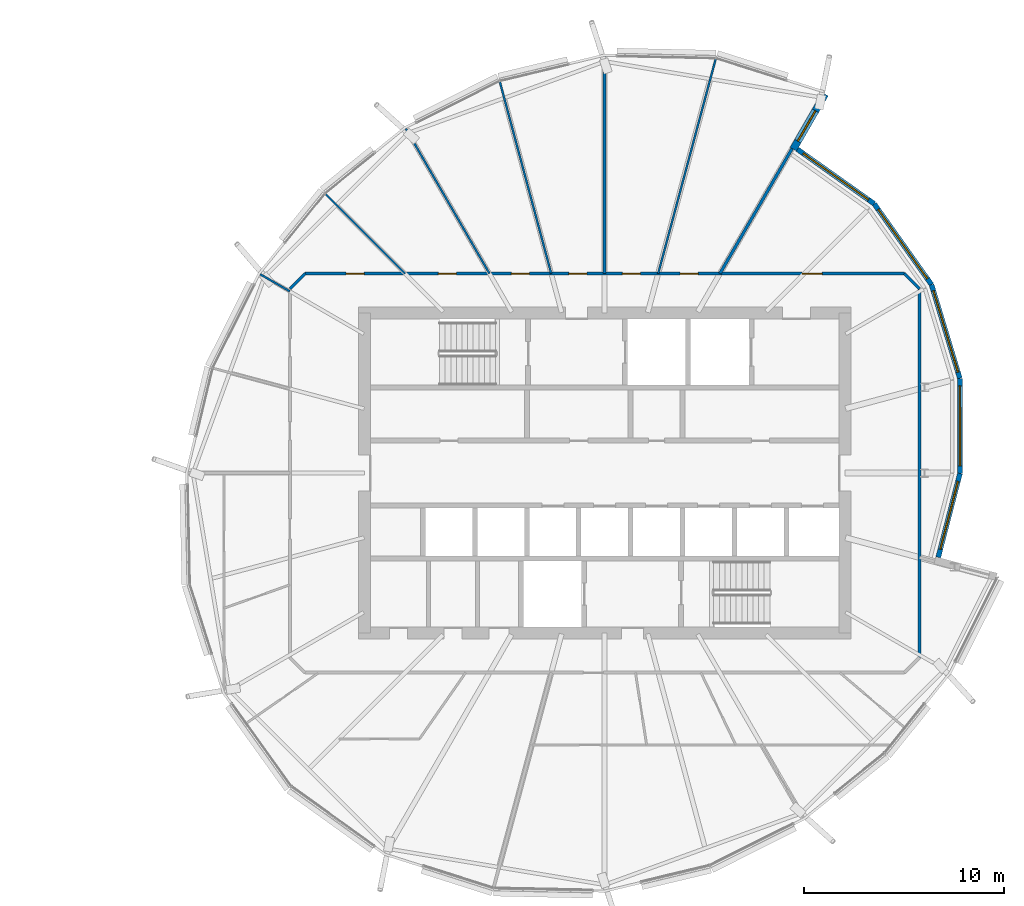
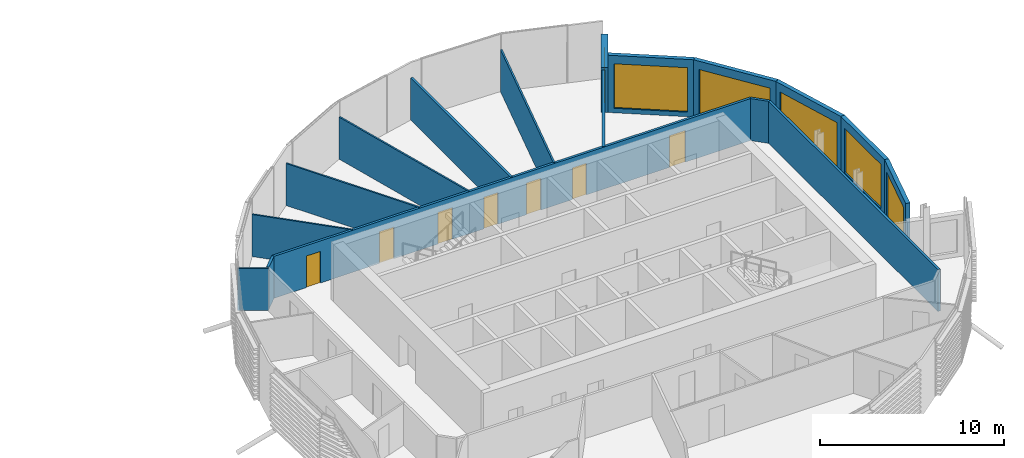
# One storey, part 23 of 36: 17 walls, 7 doors, 6 windows, 13 openings.
"""IFC4 building model written with IfcOpenShell, lengths in metres."""

import ifcopenshell
import ifcopenshell.guid

model = None  # the IFC model being written
_history = None  # IfcOwnerHistory: only IFC2X3 demands one
_inside = {}  # id of a spatial element -> (the spatial element, [elements in it])
_under = {}  # id of a project, library or spatial element -> (it, [spatial elements below it])
_declared = {}  # id of a project -> (the project, [libraries it declares])
_typed = {}  # id of a type object -> (the type object, [elements of that type])
_made_of = {}  # id of a material, layer set ... -> (it, [elements and type objects made of it])


def new_model(schema):
    """Start an empty IFC model of exactly this schema.

    Asked for "IFC4X3", IfcOpenShell would pick the latest addendum, in which some entities
    have other attributes; the version numbers below select the first issue.
    IFC2X3 requires an IfcOwnerHistory on every rooted entity: one is made here for all.
    """
    global model, _history
    if schema == "IFC4X3":
        model = ifcopenshell.file(schema_version=(4, 3, 0, 0))
    else:
        model = ifcopenshell.file(schema=schema)
    _inside.clear()
    _under.clear()
    _declared.clear()
    _typed.clear()
    _made_of.clear()
    _history = None
    if model.schema == "IFC2X3":
        org = make("IfcOrganization", Name="unknown")
        user = make(
            "IfcPersonAndOrganization",
            ThePerson=make("IfcPerson", FamilyName="unknown"),
            TheOrganization=org,
        )
        app = make(
            "IfcApplication",
            ApplicationDeveloper=org,
            Version="unknown",
            ApplicationFullName="unknown",
            ApplicationIdentifier="unknown",
        )
        _history = make(
            "IfcOwnerHistory",
            OwningUser=user,
            OwningApplication=app,
            ChangeAction="ADDED",
            CreationDate=0,
        )
    return model


def make(cls, **values):
    """One entity of the class cls with the attributes given. An attribute that is None is left unset."""
    return model.create_entity(
        cls, **{name: value for name, value in values.items() if value is not None}
    )


def rooted(cls, **values):
    """An entity with a GlobalId (a new one), such as an element, a storey or a relation."""
    return make(cls, GlobalId=ifcopenshell.guid.new(), OwnerHistory=_history, **values)


def si_unit(unit_type, name, prefix=None):
    """IfcSIUnit, for example si_unit("LENGTHUNIT", "METRE", prefix="MILLI")."""
    return make("IfcSIUnit", UnitType=unit_type, Prefix=prefix, Name=name)


def assignment(units):
    """IfcUnitAssignment: the units of a project."""
    return None if units is None else make("IfcUnitAssignment", Units=units)


def point(xyz):
    """IfcCartesianPoint."""
    return None if xyz is None else make("IfcCartesianPoint", Coordinates=xyz)


def direction(xyz):
    """IfcDirection."""
    return None if xyz is None else make("IfcDirection", DirectionRatios=xyz)


def frame(location, z_axis=None, x_axis=None):
    """IfcAxis2Placement3D, a coordinate frame: its origin and axes. An axis left out is left unset."""
    return make(
        "IfcAxis2Placement3D",
        Location=point(location),
        Axis=direction(z_axis),
        RefDirection=direction(x_axis),
    )


def frame_2d(location, x_axis=None):
    """IfcAxis2Placement2D, a coordinate frame in the plane: its origin and x axis."""
    return make(
        "IfcAxis2Placement2D", Location=point(location), RefDirection=direction(x_axis)
    )


def origin():
    """The frame at (0, 0, 0) with its axes left unset."""
    return frame((0.0, 0.0, 0.0))


def place(relative_to, where):
    """IfcLocalPlacement: puts the frame where relative to a parent placement (None: the world)."""
    return make(
        "IfcLocalPlacement", PlacementRelTo=relative_to, RelativePlacement=where
    )


def context(
    kind, dimensions, precision=None, world=None, true_north=None, identifier=None
):
    """IfcGeometricRepresentationContext, for example the 3D "Model" context."""
    return make(
        "IfcGeometricRepresentationContext",
        ContextIdentifier=identifier,
        ContextType=kind,
        CoordinateSpaceDimension=dimensions,
        Precision=precision,
        WorldCoordinateSystem=world,
        TrueNorth=true_north,
    )


def subcontext(parent, identifier, kind, view, scale=None):
    """IfcGeometricRepresentationSubContext, for example "Body" below "Model"."""
    return make(
        "IfcGeometricRepresentationSubContext",
        ContextIdentifier=identifier,
        ContextType=kind,
        ParentContext=parent,
        TargetScale=scale,
        TargetView=view,
    )


def project(units=None, contexts=None):
    """IfcProject with its units and contexts."""
    return rooted(
        "IfcProject",
        Name="project",
        RepresentationContexts=contexts,
        UnitsInContext=assignment(units),
    )


def spatial(cls, under=None, at=None, **own):
    """A site, building, storey or space (cls), placed at a placement, below another one or the project."""
    s = rooted(cls, ObjectPlacement=at, **own)
    if under is not None:
        _under.setdefault(under.id(), (under, []))[1].append(s)
    return s


def profile(cls, at=None, kind="AREA", **sizes):
    """A parametric profile (cls). Its sizes go by their IFC names, for example OverallWidth=200.0."""
    return make(cls, ProfileType=kind, Position=at, **sizes)


def rectangle(**sizes):
    """IfcRectangleProfileDef."""
    return profile("IfcRectangleProfileDef", **sizes)


def extrude(swept, where, along, depth):
    """IfcExtrudedAreaSolid: the profile swept, set in the frame where, extruded along a direction by depth."""
    return make(
        "IfcExtrudedAreaSolid",
        SweptArea=swept,
        Position=where,
        ExtrudedDirection=direction(along),
        Depth=depth,
    )


def shape(context_of_items, identifier, shape_type, items):
    """IfcShapeRepresentation: the items that make up one representation, for example the "Body"."""
    return make(
        "IfcShapeRepresentation",
        ContextOfItems=context_of_items,
        RepresentationIdentifier=identifier,
        RepresentationType=shape_type,
        Items=items,
    )


def material(Name=None, Category=None):
    """IfcMaterial."""
    return make("IfcMaterial", Name=Name, Category=Category)


def layer(
    of_material, thickness, ventilated=None, Name=None, Category=None, Priority=None
):
    """IfcMaterialLayer: one layer of a wall or slab, of a material (None: an air gap)."""
    return make(
        "IfcMaterialLayer",
        Material=of_material,
        LayerThickness=thickness,
        IsVentilated=ventilated,
        Name=Name,
        Category=Category,
        Priority=Priority,
    )


def layer_set(layers, Name=None):
    """IfcMaterialLayerSet."""
    return make("IfcMaterialLayerSet", MaterialLayers=layers, LayerSetName=Name)


def made_of(thing, what):
    """Note that an element or type object is made of a material, layer set ...; save() writes the relation."""
    if what is not None:
        _made_of.setdefault(what.id(), (what, []))[1].append(thing)
    return thing


def type_object(cls, material=None, **own):
    """A type object (cls), such as IfcWallType, which elements share."""
    return made_of(rooted(cls, **own), material)


def element(
    cls,
    number,
    at=None,
    inside=None,
    cuts=None,
    type_object=None,
    material=None,
    context=None,
    identifier="Body",
    shape_type=None,
    held_by="IfcProductDefinitionShape",
    body=None,
    shapes=None,
    **own,
):
    """One element of the class cls, such as IfcWall. Its Tag is "e" and its number.

    at: its placement. inside: the storey or other place that contains it. cuts: it is an
    opening in that element (IfcRelVoidsElement). A single representation is given by context,
    identifier, shape_type and body (its items); several are given by shapes. held_by: the class
    of the entity that holds the representations. save() writes the other relations.
    """
    e = rooted(cls, Tag="e%d" % number, ObjectPlacement=at, **own)
    if body is not None:
        shapes = [shape(context, identifier, shape_type, body)]
    if shapes is not None:
        e.Representation = make(held_by, Representations=shapes)
    if inside is not None:
        _inside.setdefault(inside.id(), (inside, []))[1].append(e)
    if cuts is not None:
        rooted(
            "IfcRelVoidsElement", RelatingBuildingElement=cuts, RelatedOpeningElement=e
        )
    if type_object is not None:
        _typed.setdefault(type_object.id(), (type_object, []))[1].append(e)
    return made_of(e, material)


def fill(opening, filler):
    """IfcRelFillsElement: the door or window that sits in an opening."""
    return rooted(
        "IfcRelFillsElement",
        RelatingOpeningElement=opening,
        RelatedBuildingElement=filler,
    )


def aggregate(whole, parts):
    """IfcRelAggregates: a whole, such as a stair, and the parts it consists of."""
    return rooted("IfcRelAggregates", RelatingObject=whole, RelatedObjects=parts)


def save(model, path):
    """Write the relations noted so far, then the file.

    IfcRelAggregates (storeys below a building ...), IfcRelContainedInSpatialStructure (elements
    in a storey), IfcRelDefinesByType, IfcRelAssociatesMaterial and IfcRelDeclares: one each for
    every whole, place, type object, material and project.
    """
    for whole, parts in _under.values():
        aggregate(whole, parts)
    for where, things in _inside.values():
        rooted(
            "IfcRelContainedInSpatialStructure",
            RelatedElements=things,
            RelatingStructure=where,
        )
    for kind, things in _typed.values():
        rooted("IfcRelDefinesByType", RelatedObjects=things, RelatingType=kind)
    for what, things in _made_of.values():
        rooted("IfcRelAssociatesMaterial", RelatedObjects=things, RelatingMaterial=what)
    for by, libraries in _declared.values():
        rooted("IfcRelDeclares", RelatingContext=by, RelatedDefinitions=libraries)
    model.write(path)


model = new_model("IFC4")

# Units and contexts
model_context = context("Model", 3, precision=1e-05, world=origin(), true_north=direction((0.0, 1.0)))
body_context = subcontext(model_context, "Body", "Model", "MODEL_VIEW")
ifc_project = project(units=[si_unit("LENGTHUNIT", "METRE"), si_unit("AREAUNIT", "SQUARE_METRE"), si_unit("VOLUMEUNIT", "CUBIC_METRE"), si_unit("PLANEANGLEUNIT", "RADIAN"), si_unit("MASSUNIT", "GRAM", prefix="KILO")], contexts=[model_context])

# Site, building, storey
site_placement = place(None, origin())
site = spatial("IfcSite", under=ifc_project, at=site_placement, CompositionType="ELEMENT")
building_placement = place(site_placement, origin())
building = spatial("IfcBuilding", under=site, at=building_placement, Name="Rimbun Link Towers", CompositionType="ELEMENT")
storey_placement = place(building_placement, frame((0.0, 0.0, 174.10009765625)))
storey = spatial("IfcBuildingStorey", under=building, at=storey_placement, Name="L42", CompositionType="ELEMENT", Elevation=174.10009765625)

# Wall, opening, window
ifc_material_1 = material(Name="Dark enamelled glass spandrel on insulated aluminium backpan", Category="aluminium")
ifc_layer_1 = layer(ifc_material_1, 0.25)
ifc_layer_set_1 = layer_set([ifc_layer_1], Name="CS dark enamelled spandrel wall 250")
wall_type_1 = type_object("IfcWallType", Name="CS dark enamelled spandrel wall 250", PredefinedType="STANDARD", material=ifc_layer_set_1)
wall_1_placement = place(storey_placement, frame((41.3837890625, 16.18603515625, 0.0), z_axis=(0.0, 0.0, 1.0), x_axis=(0.815645531274, -0.578551957315, 0.0)))
wall_1 = element("IfcWall", 1, at=wall_1_placement, inside=storey, type_object=wall_type_1, Name="Crease spandrel wall", PredefinedType="STANDARD", context=body_context, shape_type="SweptSolid", body=[
    extrude(rectangle(XDim=4.69970703125, YDim=0.25, at=frame_2d((2.349853515625, 0.0))), origin(), (0.0, 0.0, 1.0), 3.7998046875),
])
opening_1_placement = place(wall_1_placement, frame((0.349853515625, 0.0, 0.300048828125)))
opening_1 = element("IfcOpeningElement", 2, at=opening_1_placement, cuts=wall_1, Name="Opening WR40H295", PredefinedType="OPENING", context=body_context, shape_type="SweptSolid", body=[
    extrude(rectangle(XDim=4.0, YDim=2.949951171875, at=frame_2d((2.0, 1.47509765625))), frame((0.0, 0.135009765625, 0.0), z_axis=(0.0, -1.0, 0.0), x_axis=(1.0, 0.0, 0.0)), (0.0, 0.0, 1.0), 0.27001953125),
])
ifc_material_2 = material(Name="Aluminium framed fixed window, dark tinted low-e glass", Category="aluminium")
window_type_1 = type_object("IfcWindowType", Name="WR ribbon window 4000X2950", PartitioningType="SINGLE_PANEL", PredefinedType="WINDOW", material=ifc_material_2)
window_1_placement = place(opening_1_placement, origin())
window_1 = element("IfcWindow", 3, at=window_1_placement, inside=storey, type_object=window_type_1, Name="Crease ribbon window", OverallHeight=2.949951171875, OverallWidth=4.0, PartitioningType="SINGLE_PANEL", PredefinedType="WINDOW", context=body_context, shape_type="SweptSolid", body=[
    extrude(rectangle(XDim=4.0, YDim=2.949951171875, at=frame_2d((2.0, 1.47509765625))), frame((0.0, 0.030029296875, 0.0), z_axis=(0.0, -1.0, 0.0), x_axis=(1.0, 0.0, 0.0)), (0.0, 0.0, 1.0), 0.06005859375),
])
fill(opening_1, window_1)

wall_2_placement = place(storey_placement, frame((49.508056640625, -0.015869140625, 0.0), z_axis=(0.0, 0.0, 1.0), x_axis=(-0.251014977981, -0.967983202762, 0.0)))
wall_2 = element("IfcWall", 4, at=wall_2_placement, inside=storey, type_object=wall_type_1, Name="Crease spandrel wall", PredefinedType="STANDARD", context=body_context, shape_type="SweptSolid", body=[
    extrude(rectangle(XDim=4.3310546875, YDim=0.25, at=frame_2d((2.16552734375, 0.0))), origin(), (0.0, 0.0, 1.0), 3.7998046875),
])
opening_2_placement = place(wall_2_placement, frame((0.41552734375, 0.0, 0.300048828125)))
opening_2 = element("IfcOpeningElement", 5, at=opening_2_placement, cuts=wall_2, Name="Opening WR35H295", PredefinedType="OPENING", context=body_context, shape_type="SweptSolid", body=[
    extrude(rectangle(XDim=3.5, YDim=2.949951171875, at=frame_2d((1.75, 1.47509765625))), frame((0.0, 0.135009765625, 0.0), z_axis=(0.0, -1.0, 0.0), x_axis=(1.0, 0.0, 0.0)), (0.0, 0.0, 1.0), 0.27001953125),
])
ifc_material_3 = material(Name="Aluminium framed fixed window, dark tinted low-e glass", Category="aluminium")
window_type_2 = type_object("IfcWindowType", Name="WR ribbon window 3500X2950", PartitioningType="SINGLE_PANEL", PredefinedType="WINDOW", material=ifc_material_3)
window_2_placement = place(opening_2_placement, origin())
window_2 = element("IfcWindow", 6, at=window_2_placement, inside=storey, type_object=window_type_2, Name="Crease ribbon window", OverallHeight=2.949951171875, OverallWidth=3.5, PartitioningType="SINGLE_PANEL", PredefinedType="WINDOW", context=body_context, shape_type="SweptSolid", body=[
    extrude(rectangle(XDim=3.5, YDim=2.949951171875, at=frame_2d((1.75, 1.47509765625))), frame((0.0, 0.030029296875, 0.0), z_axis=(0.0, -1.0, 0.0), x_axis=(1.0, 0.0, 0.0)), (0.0, 0.0, 1.0), 0.06005859375),
])
fill(opening_2, window_2)

wall_3_placement = place(storey_placement, frame((49.500244140625, 4.7412109375, 0.0), z_axis=(0.0, 0.0, 1.0), x_axis=(0.001642286725, -0.999998651446, 0.0)))
wall_3 = element("IfcWall", 7, at=wall_3_placement, inside=storey, type_object=wall_type_1, Name="Crease spandrel wall", PredefinedType="STANDARD", context=body_context, shape_type="SweptSolid", body=[
    extrude(rectangle(XDim=4.757080078125, YDim=0.25, at=frame_2d((2.37841796875, 0.0))), origin(), (0.0, 0.0, 1.0), 3.7998046875),
])
opening_3_placement = place(wall_3_placement, frame((0.378662109375, 0.0, 0.300048828125)))
opening_3 = element("IfcOpeningElement", 8, at=opening_3_placement, cuts=wall_3, Name="Opening WR40H295", PredefinedType="OPENING", context=body_context, shape_type="SweptSolid", body=[
    extrude(rectangle(XDim=4.0, YDim=2.949951171875, at=frame_2d((2.0, 1.47509765625))), frame((0.0, 0.135009765625, 0.0), z_axis=(0.0, -1.0, 0.0), x_axis=(1.0, 0.0, 0.0)), (0.0, 0.0, 1.0), 0.27001953125),
])
window_3_placement = place(opening_3_placement, origin())
window_3 = element("IfcWindow", 9, at=window_3_placement, inside=storey, type_object=window_type_1, Name="Crease ribbon window", OverallHeight=2.949951171875, OverallWidth=4.0, PartitioningType="SINGLE_PANEL", PredefinedType="WINDOW", context=body_context, shape_type="SweptSolid", body=[
    extrude(rectangle(XDim=4.0, YDim=2.949951171875, at=frame_2d((2.0, 1.47509765625))), frame((0.0, 0.030029296875, 0.0), z_axis=(0.0, -1.0, 0.0), x_axis=(1.0, 0.0, 0.0)), (0.0, 0.0, 1.0), 0.06005859375),
])
fill(opening_3, window_3)

wall_4_placement = place(storey_placement, frame((48.08642578125, 9.421875, 0.0), z_axis=(0.0, 0.0, 1.0), x_axis=(0.289152232051, -0.957283127763, 0.0)))
wall_4 = element("IfcWall", 10, at=wall_4_placement, inside=storey, type_object=wall_type_1, Name="Crease spandrel wall", PredefinedType="STANDARD", context=body_context, shape_type="SweptSolid", body=[
    extrude(rectangle(XDim=4.8896484375, YDim=0.25, at=frame_2d((2.44482421875, 0.0))), origin(), (0.0, 0.0, 1.0), 3.7998046875),
])
opening_4_placement = place(wall_4_placement, frame((0.31982421875, 0.0, 0.300048828125)))
opening_4 = element("IfcOpeningElement", 11, at=opening_4_placement, cuts=wall_4, Name="Opening WR42H295", PredefinedType="OPENING", context=body_context, shape_type="SweptSolid", body=[
    extrude(rectangle(XDim=4.25, YDim=2.949951171875, at=frame_2d((2.125, 1.47509765625))), frame((0.0, 0.135009765625, 0.0), z_axis=(0.0, -1.0, 0.0), x_axis=(1.0, 0.0, 0.0)), (0.0, 0.0, 1.0), 0.27001953125),
])
ifc_material_4 = material(Name="Aluminium framed fixed window, dark tinted low-e glass", Category="aluminium")
window_type_3 = type_object("IfcWindowType", Name="WR ribbon window 4250X2950", PartitioningType="SINGLE_PANEL", PredefinedType="WINDOW", material=ifc_material_4)
window_4_placement = place(opening_4_placement, origin())
window_4 = element("IfcWindow", 12, at=window_4_placement, inside=storey, type_object=window_type_3, Name="Crease ribbon window", OverallHeight=2.949951171875, OverallWidth=4.25, PartitioningType="SINGLE_PANEL", PredefinedType="WINDOW", context=body_context, shape_type="SweptSolid", body=[
    extrude(rectangle(XDim=4.25, YDim=2.949951171875, at=frame_2d((2.125, 1.47509765625))), frame((0.0, 0.030029296875, 0.0), z_axis=(0.0, -1.0, 0.0), x_axis=(1.0, 0.0, 0.0)), (0.0, 0.0, 1.0), 0.06005859375),
])
fill(opening_4, window_4)

wall_5_placement = place(storey_placement, frame((45.217041015625, 13.467041015625, 0.0), z_axis=(0.0, 0.0, 1.0), x_axis=(0.578562177789, -0.815638281612, 0.0)))
wall_5 = element("IfcWall", 13, at=wall_5_placement, inside=storey, type_object=wall_type_1, Name="Crease spandrel wall", PredefinedType="STANDARD", context=body_context, shape_type="SweptSolid", body=[
    extrude(rectangle(XDim=4.95947265625, YDim=0.25, at=frame_2d((2.479736328125, 0.0))), origin(), (0.0, 0.0, 1.0), 3.7998046875),
])
opening_5_placement = place(wall_5_placement, frame((0.354736328125, 0.0, 0.300048828125)))
opening_5 = element("IfcOpeningElement", 14, at=opening_5_placement, cuts=wall_5, Name="Opening WR42H295", PredefinedType="OPENING", context=body_context, shape_type="SweptSolid", body=[
    extrude(rectangle(XDim=4.25, YDim=2.949951171875, at=frame_2d((2.125, 1.47509765625))), frame((0.0, 0.135009765625, 0.0), z_axis=(0.0, -1.0, 0.0), x_axis=(1.0, 0.0, 0.0)), (0.0, 0.0, 1.0), 0.27001953125),
])
window_5_placement = place(opening_5_placement, origin())
window_5 = element("IfcWindow", 15, at=window_5_placement, inside=storey, type_object=window_type_3, Name="Crease ribbon window", OverallHeight=2.949951171875, OverallWidth=4.25, PartitioningType="SINGLE_PANEL", PredefinedType="WINDOW", context=body_context, shape_type="SweptSolid", body=[
    extrude(rectangle(XDim=4.25, YDim=2.949951171875, at=frame_2d((2.125, 1.47509765625))), frame((0.0, 0.030029296875, 0.0), z_axis=(0.0, -1.0, 0.0), x_axis=(1.0, 0.0, 0.0)), (0.0, 0.0, 1.0), 0.06005859375),
])
fill(opening_5, window_5)

ifc_material_5 = material(Name="Dark enamelled glass spandrel on insulated aluminium backpan", Category="aluminium")
ifc_layer_2 = layer(ifc_material_5, 0.3701171875)
ifc_layer_set_2 = layer_set([ifc_layer_2], Name="CS dark enamelled spandrel wall 370")
wall_type_2 = type_object("IfcWallType", Name="CS dark enamelled spandrel wall 370", PredefinedType="STANDARD", material=ifc_layer_set_2)
wall_6_placement = place(storey_placement, frame((42.762451171875, 18.944091796875, 0.0), z_axis=(0.0, 0.0, 1.0), x_axis=(-0.4999705729, -0.866042392862, 0.0)))
wall_6 = element("IfcWall", 16, at=wall_6_placement, inside=storey, type_object=wall_type_2, Name="Crease spandrel wall", PredefinedType="STANDARD", context=body_context, shape_type="SweptSolid", body=[
    extrude(rectangle(XDim=3.179931640625, YDim=0.3701171875, at=frame_2d((1.58984375, 0.0))), origin(), (0.0, 0.0, 1.0), 2.95654296875),
])
opening_6_placement = place(wall_6_placement, frame((0.966064453125, 0.0, 0.300048828125)))
opening_6 = element("IfcOpeningElement", 17, at=opening_6_placement, cuts=wall_6, Name="Opening WR18H245", PredefinedType="OPENING", context=body_context, shape_type="SweptSolid", body=[
    extrude(rectangle(XDim=1.75, YDim=2.449951171875, at=frame_2d((0.875, 1.22509765625))), frame((0.0, 0.195068359375, 0.0), z_axis=(0.0, -1.0, 0.0), x_axis=(1.0, 0.0, 0.0)), (0.0, 0.0, 1.0), 0.39013671875),
])
ifc_material_6 = material(Name="Aluminium framed fixed window, dark tinted low-e glass", Category="aluminium")
window_type_4 = type_object("IfcWindowType", Name="WR ribbon window 1750X2450", PartitioningType="SINGLE_PANEL", PredefinedType="WINDOW", material=ifc_material_6)
window_6_placement = place(opening_6_placement, origin())
window_6 = element("IfcWindow", 18, at=window_6_placement, inside=storey, type_object=window_type_4, Name="Crease ribbon window", OverallHeight=2.449951171875, OverallWidth=1.75, PartitioningType="SINGLE_PANEL", PredefinedType="WINDOW", context=body_context, shape_type="SweptSolid", body=[
    extrude(rectangle(XDim=1.75, YDim=2.449951171875, at=frame_2d((0.875, 1.22509765625))), frame((0.0, 0.030029296875, 0.0), z_axis=(0.0, -1.0, 0.0), x_axis=(1.0, 0.0, 0.0)), (0.0, 0.0, 1.0), 0.06005859375),
])
fill(opening_6, window_6)

# Wall, openings, doors
ifc_material_7 = material(Name="Plasterboard on steel stud, mineral wool", Category="steel")
ifc_layer_3 = layer(ifc_material_7, 0.14990234375)
ifc_layer_set_3 = layer_set([ifc_layer_3], Name="Corridor wall EI 30 150 mm")
wall_type_3 = type_object("IfcWallType", Name="Corridor wall EI 30 150 mm", PredefinedType="PARTITIONING", material=ifc_layer_set_3)
wall_7_placement = place(storey_placement, frame((16.7763671875, 9.97509765625, 0.0), z_axis=(0.0, 0.0, 1.0), x_axis=(1.0, 0.0, 0.0)))
wall_7 = element("IfcWall", 19, at=wall_7_placement, inside=storey, type_object=wall_type_3, Name="Corridor wall EI 30 150 mm", PredefinedType="PARTITIONING", context=body_context, shape_type="SweptSolid", body=[
    extrude(rectangle(XDim=29.947265625, YDim=0.14990234375, at=frame_2d((14.9736328125, 0.0))), origin(), (0.0, 0.0, 1.0), 2.788818359375),
])
opening_7_placement = place(wall_7_placement, frame((18.739501953125, 0.0, 0.0)))
opening_7 = element("IfcOpeningElement", 20, at=opening_7_placement, cuts=wall_7, Name="Opening D02", PredefinedType="OPENING", context=body_context, shape_type="SweptSolid", body=[
    extrude(rectangle(XDim=0.89990234375, YDim=2.10009765625, at=frame_2d((0.449951171875, 1.050048828125))), frame((0.0, 0.0849609375, 0.0), z_axis=(0.0, -1.0, 0.0), x_axis=(1.0, 0.0, 0.0)), (0.0, 0.0, 1.0), 0.169921875),
])
opening_8_placement = place(wall_7_placement, frame((15.860107421875, 0.0, 0.0)))
opening_8 = element("IfcOpeningElement", 21, at=opening_8_placement, cuts=wall_7, Name="Opening D02", PredefinedType="OPENING", context=body_context, shape_type="SweptSolid", body=[
    extrude(rectangle(XDim=0.89990234375, YDim=2.10009765625, at=frame_2d((0.449951171875, 1.050048828125))), frame((0.0, 0.0849609375, 0.0), z_axis=(0.0, -1.0, 0.0), x_axis=(1.0, 0.0, 0.0)), (0.0, 0.0, 1.0), 0.169921875),
])
opening_9_placement = place(wall_7_placement, frame((13.187255859375, 0.0, 0.0)))
opening_9 = element("IfcOpeningElement", 22, at=opening_9_placement, cuts=wall_7, Name="Opening D02", PredefinedType="OPENING", context=body_context, shape_type="SweptSolid", body=[
    extrude(rectangle(XDim=0.89990234375, YDim=2.10009765625, at=frame_2d((0.449951171875, 1.050048828125))), frame((0.0, 0.0849609375, 0.0), z_axis=(0.0, -1.0, 0.0), x_axis=(1.0, 0.0, 0.0)), (0.0, 0.0, 1.0), 0.169921875),
])
opening_10_placement = place(wall_7_placement, frame((10.307861328125, 0.0, 0.0)))
opening_10 = element("IfcOpeningElement", 23, at=opening_10_placement, cuts=wall_7, Name="Opening D02", PredefinedType="OPENING", context=body_context, shape_type="SweptSolid", body=[
    extrude(rectangle(XDim=0.89990234375, YDim=2.10009765625, at=frame_2d((0.449951171875, 1.050048828125))), frame((0.0, 0.0849609375, 0.0), z_axis=(0.0, -1.0, 0.0), x_axis=(1.0, 0.0, 0.0)), (0.0, 0.0, 1.0), 0.169921875),
])
opening_11_placement = place(wall_7_placement, frame((6.65673828125, 0.0, 0.0)))
opening_11 = element("IfcOpeningElement", 24, at=opening_11_placement, cuts=wall_7, Name="Opening D02", PredefinedType="OPENING", context=body_context, shape_type="SweptSolid", body=[
    extrude(rectangle(XDim=0.89990234375, YDim=2.10009765625, at=frame_2d((0.449951171875, 1.050048828125))), frame((0.0, 0.0849609375, 0.0), z_axis=(0.0, -1.0, 0.0), x_axis=(1.0, 0.0, 0.0)), (0.0, 0.0, 1.0), 0.169921875),
])
opening_12_placement = place(wall_7_placement, frame((2.04931640625, 0.0, 0.0)))
opening_12 = element("IfcOpeningElement", 25, at=opening_12_placement, cuts=wall_7, Name="Opening D02", PredefinedType="OPENING", context=body_context, shape_type="SweptSolid", body=[
    extrude(rectangle(XDim=0.89990234375, YDim=2.10009765625, at=frame_2d((0.449951171875, 1.050048828125))), frame((0.0, 0.0849609375, 0.0), z_axis=(0.0, -1.0, 0.0), x_axis=(1.0, 0.0, 0.0)), (0.0, 0.0, 1.0), 0.169921875),
])
opening_13_placement = place(wall_7_placement, frame((24.840087890625, 0.0, 0.0)))
opening_13 = element("IfcOpeningElement", 26, at=opening_13_placement, cuts=wall_7, Name="Opening D01", PredefinedType="OPENING", context=body_context, shape_type="SweptSolid", body=[
    extrude(rectangle(XDim=1.0, YDim=2.10009765625, at=frame_2d((0.5, 1.050048828125))), frame((0.0, 0.0849609375, 0.0), z_axis=(0.0, -1.0, 0.0), x_axis=(1.0, 0.0, 0.0)), (0.0, 0.0, 1.0), 0.169921875),
])
ifc_material_8 = material(Name="Fire-resisting timber door leaf", Category="wood")
door_type_1 = type_object("IfcDoorType", Name="Fire door FD30S 1000", OperationType="NOTDEFINED", PredefinedType="DOOR", material=ifc_material_8)
door_1_placement = place(opening_13_placement, origin())
door_1 = element("IfcDoor", 27, at=door_1_placement, inside=storey, type_object=door_type_1, Name="Fire door FD30S 1000 to Terrace office", OperationType="SINGLE_SWING_LEFT", OverallHeight=2.10009765625, OverallWidth=1.0, PredefinedType="DOOR", context=body_context, shape_type="SweptSolid", body=[
    extrude(rectangle(XDim=1.0, YDim=2.10009765625, at=frame_2d((0.5, 1.050048828125))), frame((0.0, 0.02490234375, 0.0), z_axis=(0.0, -1.0, 0.0), x_axis=(1.0, 0.0, 0.0)), (0.0, 0.0, 1.0), 0.050048828125),
])
fill(opening_13, door_1)
ifc_material_9 = material(Name="Fire-resisting timber door leaf", Category="wood")
door_type_2 = type_object("IfcDoorType", Name="Fire door FD30S 900", OperationType="NOTDEFINED", PredefinedType="DOOR", material=ifc_material_9)
door_2_placement = place(opening_7_placement, origin())
door_2 = element("IfcDoor", 28, at=door_2_placement, inside=storey, type_object=door_type_2, Name="Fire door FD30S 900 to Training room", OperationType="SINGLE_SWING_LEFT", OverallHeight=2.10009765625, OverallWidth=0.89990234375, PredefinedType="DOOR", context=body_context, shape_type="SweptSolid", body=[
    extrude(rectangle(XDim=0.89990234375, YDim=2.10009765625, at=frame_2d((0.449951171875, 1.050048828125))), frame((0.0, 0.02490234375, 0.0), z_axis=(0.0, -1.0, 0.0), x_axis=(1.0, 0.0, 0.0)), (0.0, 0.0, 1.0), 0.050048828125),
])
fill(opening_7, door_2)
door_3_placement = place(opening_8_placement, origin())
door_3 = element("IfcDoor", 29, at=door_3_placement, inside=storey, type_object=door_type_2, Name="Fire door FD30S 900 to Meeting room", OperationType="SINGLE_SWING_RIGHT", OverallHeight=2.10009765625, OverallWidth=0.89990234375, PredefinedType="DOOR", context=body_context, shape_type="SweptSolid", body=[
    extrude(rectangle(XDim=0.89990234375, YDim=2.10009765625, at=frame_2d((0.449951171875, 1.050048828125))), frame((0.0, 0.02490234375, 0.0), z_axis=(0.0, -1.0, 0.0), x_axis=(1.0, 0.0, 0.0)), (0.0, 0.0, 1.0), 0.050048828125),
])
fill(opening_8, door_3)
door_4_placement = place(opening_9_placement, origin())
door_4 = element("IfcDoor", 30, at=door_4_placement, inside=storey, type_object=door_type_2, Name="Fire door FD30S 900 to Data room", OperationType="SINGLE_SWING_LEFT", OverallHeight=2.10009765625, OverallWidth=0.89990234375, PredefinedType="DOOR", context=body_context, shape_type="SweptSolid", body=[
    extrude(rectangle(XDim=0.89990234375, YDim=2.10009765625, at=frame_2d((0.449951171875, 1.050048828125))), frame((0.0, 0.02490234375, 0.0), z_axis=(0.0, -1.0, 0.0), x_axis=(1.0, 0.0, 0.0)), (0.0, 0.0, 1.0), 0.050048828125),
])
fill(opening_9, door_4)
door_5_placement = place(opening_10_placement, origin())
door_5 = element("IfcDoor", 31, at=door_5_placement, inside=storey, type_object=door_type_2, Name="Fire door FD30S 900 to Communications room", OperationType="SINGLE_SWING_RIGHT", OverallHeight=2.10009765625, OverallWidth=0.89990234375, PredefinedType="DOOR", context=body_context, shape_type="SweptSolid", body=[
    extrude(rectangle(XDim=0.89990234375, YDim=2.10009765625, at=frame_2d((0.449951171875, 1.050048828125))), frame((0.0, 0.02490234375, 0.0), z_axis=(0.0, -1.0, 0.0), x_axis=(1.0, 0.0, 0.0)), (0.0, 0.0, 1.0), 0.050048828125),
])
fill(opening_10, door_5)
door_6_placement = place(opening_11_placement, origin())
door_6 = element("IfcDoor", 32, at=door_6_placement, inside=storey, type_object=door_type_2, Name="Fire door FD30S 900 to Trading floor", OperationType="SINGLE_SWING_LEFT", OverallHeight=2.10009765625, OverallWidth=0.89990234375, PredefinedType="DOOR", context=body_context, shape_type="SweptSolid", body=[
    extrude(rectangle(XDim=0.89990234375, YDim=2.10009765625, at=frame_2d((0.449951171875, 1.050048828125))), frame((0.0, 0.02490234375, 0.0), z_axis=(0.0, -1.0, 0.0), x_axis=(1.0, 0.0, 0.0)), (0.0, 0.0, 1.0), 0.050048828125),
])
fill(opening_11, door_6)
door_7_placement = place(opening_12_placement, origin())
door_7 = element("IfcDoor", 33, at=door_7_placement, inside=storey, type_object=door_type_2, Name="Fire door FD30S 900 to Data room", OperationType="SINGLE_SWING_RIGHT", OverallHeight=2.10009765625, OverallWidth=0.89990234375, PredefinedType="DOOR", context=body_context, shape_type="SweptSolid", body=[
    extrude(rectangle(XDim=0.89990234375, YDim=2.10009765625, at=frame_2d((0.449951171875, 1.050048828125))), frame((0.0, 0.02490234375, 0.0), z_axis=(0.0, -1.0, 0.0), x_axis=(1.0, 0.0, 0.0)), (0.0, 0.0, 1.0), 0.050048828125),
])
fill(opening_12, door_7)

# Walls
wall_8_placement = place(storey_placement, frame((47.485107421875, 9.213623046875, 0.0), z_axis=(0.0, 0.0, 1.0), x_axis=(-0.707106781187, 0.707106781187, 0.0)))
element("IfcWall", 34, at=wall_8_placement, inside=storey, type_object=wall_type_3, Name="Corridor wall EI 30 150 mm", PredefinedType="PARTITIONING", context=body_context, shape_type="SweptSolid", body=[
    extrude(rectangle(XDim=1.076904296875, YDim=0.14990234375, at=frame_2d((0.53857421875, 0.0))), origin(), (0.0, 0.0, 1.0), 2.788818359375),
])
wall_9_placement = place(storey_placement, frame((47.485107421875, -9.213623046875, 0.0), z_axis=(0.0, 0.0, 1.0), x_axis=(0.0, 1.0, 0.0)))
element("IfcWall", 35, at=wall_9_placement, inside=storey, type_object=wall_type_3, Name="Corridor wall EI 30 150 mm", PredefinedType="PARTITIONING", context=body_context, shape_type="SweptSolid", body=[
    extrude(rectangle(XDim=18.42724609375, YDim=0.14990234375, at=frame_2d((9.213623046875, 0.0))), origin(), (0.0, 0.0, 1.0), 2.788818359375),
])
wall_10_placement = place(storey_placement, frame((16.7763671875, 9.97509765625, 0.0), z_axis=(0.0, 0.0, 1.0), x_axis=(-0.707106781187, -0.707106781187, 0.0)))
element("IfcWall", 36, at=wall_10_placement, inside=storey, type_object=wall_type_3, Name="Corridor wall EI 30 150 mm", PredefinedType="PARTITIONING", context=body_context, shape_type="SweptSolid", body=[
    extrude(rectangle(XDim=1.076904296875, YDim=0.14990234375, at=frame_2d((0.53857421875, 0.0))), origin(), (0.0, 0.0, 1.0), 2.788818359375),
])
ifc_material_10 = material(Name="Plasterboard on steel stud", Category="steel")
ifc_layer_4 = layer(ifc_material_10, 0.10009765625)
ifc_layer_set_4 = layer_set([ifc_layer_4], Name="Plasterboard partition 100 mm")
wall_type_4 = type_object("IfcWallType", Name="Plasterboard partition 100 mm", PredefinedType="PARTITIONING", material=ifc_layer_set_4)
wall_11_placement = place(storey_placement, frame((37.30078125, 20.71630859375, 0.0), z_axis=(0.0, 0.0, 1.0), x_axis=(-0.258804856252, -0.965929628068, 0.0)))
element("IfcWall", 37, at=wall_11_placement, inside=storey, type_object=wall_type_4, Name="Plasterboard partition 100 mm", PredefinedType="PARTITIONING", context=body_context, shape_type="SweptSolid", body=[
    extrude(rectangle(XDim=11.1201171875, YDim=0.10009765625, at=frame_2d((5.56005859375, 0.0))), origin(), (0.0, 0.0, 1.0), 2.788818359375),
])
wall_12_placement = place(storey_placement, frame((26.50390625, 19.57861328125, 0.0), z_axis=(0.0, 0.0, 1.0), x_axis=(0.258817912539, -0.965926129758, 0.0)))
element("IfcWall", 38, at=wall_12_placement, inside=storey, type_object=wall_type_4, Name="Plasterboard partition 100 mm", PredefinedType="PARTITIONING", context=body_context, shape_type="SweptSolid", body=[
    extrude(rectangle(XDim=9.9423828125, YDim=0.10009765625, at=frame_2d((4.97119140625, 0.0))), origin(), (0.0, 0.0, 1.0), 2.788818359375),
])
wall_13_placement = place(storey_placement, frame((21.807861328125, 17.22021484375, 0.0), z_axis=(0.0, 0.0, 1.0), x_axis=(0.50001211238, -0.866018410586, 0.0)))
element("IfcWall", 39, at=wall_13_placement, inside=storey, type_object=wall_type_4, Name="Plasterboard partition 100 mm", PredefinedType="PARTITIONING", context=body_context, shape_type="SweptSolid", body=[
    extrude(rectangle(XDim=8.365966796875, YDim=0.10009765625, at=frame_2d((4.18310546875, 0.0))), origin(), (0.0, 0.0, 1.0), 2.788818359375),
])
wall_14_placement = place(storey_placement, frame((17.78564453125, 13.96435546875, 0.0), z_axis=(0.0, 0.0, 1.0), x_axis=(0.707106781187, -0.707106781187, 0.0)))
element("IfcWall", 40, at=wall_14_placement, inside=storey, type_object=wall_type_4, Name="Plasterboard partition 100 mm", PredefinedType="PARTITIONING", context=body_context, shape_type="SweptSolid", body=[
    extrude(rectangle(XDim=5.6416015625, YDim=0.10009765625, at=frame_2d((2.82080078125, 0.0))), origin(), (0.0, 0.0, 1.0), 2.788818359375),
])
wall_15_placement = place(storey_placement, frame((14.52978515625, 9.942138671875, 0.0), z_axis=(0.0, 0.0, 1.0), x_axis=(0.866026740756, -0.49999768429, 0.0)))
element("IfcWall", 41, at=wall_15_placement, inside=storey, type_object=wall_type_4, Name="Plasterboard partition 100 mm", PredefinedType="PARTITIONING", context=body_context, shape_type="SweptSolid", body=[
    extrude(rectangle(XDim=1.71484375, YDim=0.10009765625, at=frame_2d((0.857421875, 0.0))), origin(), (0.0, 0.0, 1.0), 2.788818359375),
])
ifc_material_11 = material(Name="Plasterboard on steel stud, mineral wool", Category="steel")
ifc_layer_5 = layer(ifc_material_11, 0.14990234375)
ifc_layer_set_5 = layer_set([ifc_layer_5], Name="Tenancy separation wall EI 60 150 mm")
wall_type_5 = type_object("IfcWallType", Name="Tenancy separation wall EI 60 150 mm", PredefinedType="PARTITIONING", material=ifc_layer_set_5)
wall_16_placement = place(storey_placement, frame((37.509033203125, 9.97509765625, 0.0), z_axis=(0.0, 0.0, 1.0), x_axis=(0.500015396624, 0.866016514357, 0.0)))
element("IfcWall", 42, at=wall_16_placement, inside=storey, type_object=wall_type_5, Name="Tenancy separation wall EI 60 150 mm", PredefinedType="PARTITIONING", context=body_context, shape_type="SweptSolid", body=[
    extrude(rectangle(XDim=7.214111328125, YDim=0.14990234375, at=frame_2d((3.60693359375, 0.0))), origin(), (0.0, 0.0, 1.0), 2.788818359375),
])
wall_17_placement = place(storey_placement, frame((31.75, 9.97509765625, 0.0), z_axis=(0.0, 0.0, 1.0), x_axis=(0.0, 1.0, 0.0)))
element("IfcWall", 43, at=wall_17_placement, inside=storey, type_object=wall_type_5, Name="Tenancy separation wall EI 60 150 mm", PredefinedType="PARTITIONING", context=body_context, shape_type="SweptSolid", body=[
    extrude(rectangle(XDim=10.85791015625, YDim=0.14990234375, at=frame_2d((5.428955078125, 0.0))), origin(), (0.0, 0.0, 1.0), 2.788818359375),
])

save(model, "model.ifc")
